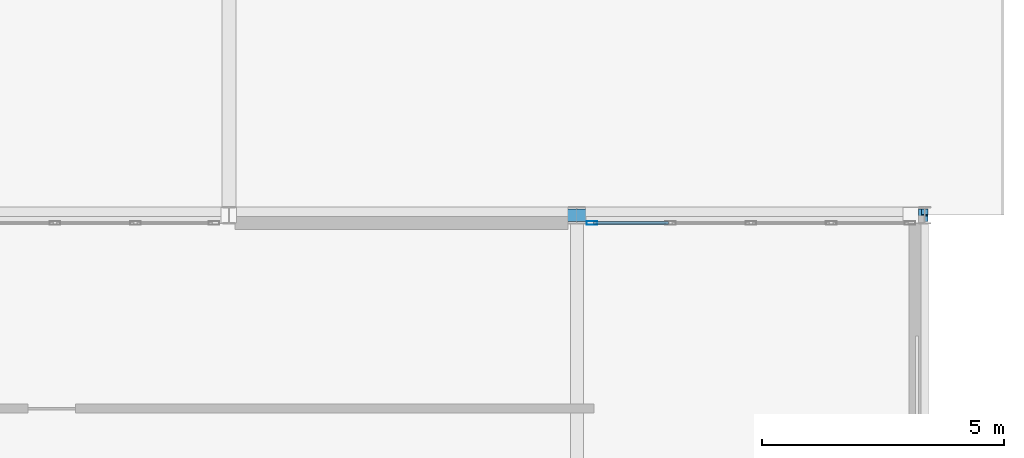
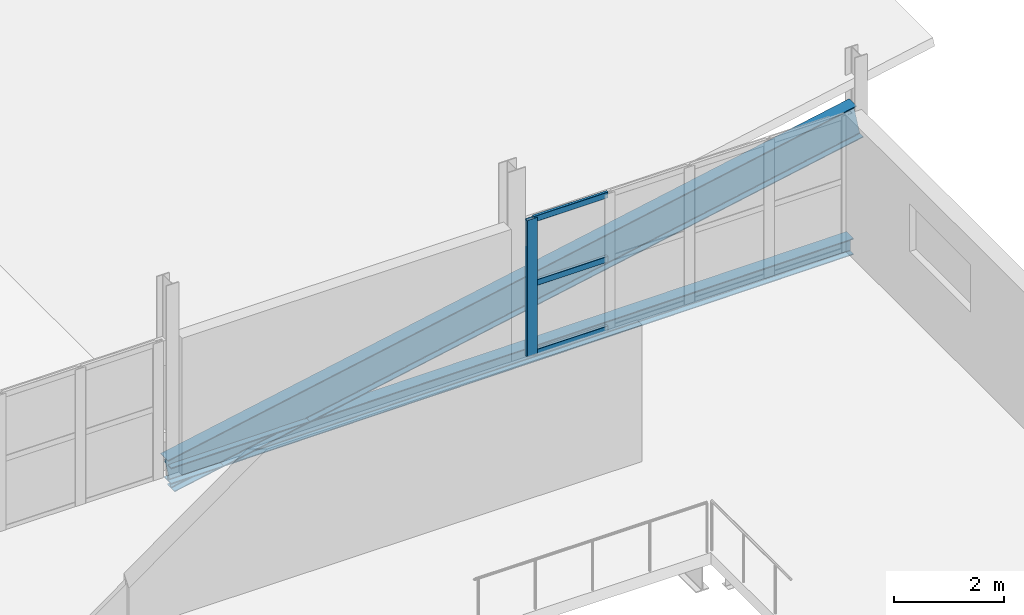
# One storey, part 55 of 94: 5 members, 1 beam, 1 element without a shape of its own.
"""IFC4 building model written with IfcOpenShell, lengths in metres."""

from ifc_helpers import new_model, si_unit, direction, frame, origin, origin_2d, place, context, subcontext, project, spatial, hollow_rectangle, i_section, extrude, material, material_profile, profile_set, type_object, element, aggregate, save


model = new_model("IFC4")

# Units and contexts
model_context = context("Model", 3, precision=1e-05, world=origin(), true_north=direction((0.0, 1.0)))
body_context = subcontext(model_context, "Body", "Model", "MODEL_VIEW")
ifc_project = project(units=[si_unit("LENGTHUNIT", "METRE"), si_unit("AREAUNIT", "SQUARE_METRE"), si_unit("VOLUMEUNIT", "CUBIC_METRE"), si_unit("PLANEANGLEUNIT", "RADIAN"), si_unit("MASSUNIT", "GRAM", prefix="KILO")], contexts=[model_context])

# Site, building, storey
site_placement = place(None, origin())
site = spatial("IfcSite", under=ifc_project, at=site_placement, CompositionType="ELEMENT")
building_placement = place(site_placement, origin())
building = spatial("IfcBuilding", under=site, at=building_placement, Name="Kalmorath City Hall", CompositionType="ELEMENT")
storey_placement = place(building_placement, frame((0.0, 0.0, 14.699951171875)))
storey = spatial("IfcBuildingStorey", under=building, at=storey_placement, Name="L03", CompositionType="ELEMENT", Elevation=14.699951171875)

# Curtain wall, members
ifc_material_1 = material(Name="Anodised aluminium and laminated glass", Category="aluminium")
curtain_wall_type = type_object("IfcCurtainWallType", Name="Unitised hurricane curtain wall 6655x3018 M1850", PredefinedType="NOTDEFINED", material=ifc_material_1)
curtain_wall_placement = place(storey_placement, origin())
curtain_wall = element("IfcCurtainWall", 1, at=curtain_wall_placement, inside=storey, type_object=curtain_wall_type, Name="L03 curtain wall CW-67X30M18 #162", PredefinedType="NOTDEFINED")
ifc_material_2 = material(Name="Anodised aluminium framing", Category="aluminium")
ifc_material_profile_1 = material_profile(ifc_material_2, hollow_rectangle(XDim=0.06005859375, YDim=0.1298828125, WallThickness=0.00341796875, InnerFilletRadius=0.00341796875, OuterFilletRadius=0.007080078125, at=origin_2d()), Name="ALU-TRN-130X60X3.5")
ifc_profile_set_1 = profile_set([ifc_material_profile_1], Name="Anodised aluminium framing")
member_type_1 = type_object("IfcMemberType", Name="Curtain-wall courtyard transom 130x60", PredefinedType="USERDEFINED", material=ifc_profile_set_1)
member_1_placement = place(storey_placement, frame((158.74951171875, 43.0400390625, 0.030029296875), z_axis=(1.0, 0.0, 0.0), x_axis=(0.0, 1.0, 0.0)))
member_1 = element("IfcMember", 2, at=member_1_placement, type_object=member_type_1, Name="CW-67X30M18 transom 1.1", ObjectType="TRANSOM", PredefinedType="USERDEFINED", context=body_context, shape_type="SweptSolid", body=[
    extrude(hollow_rectangle(XDim=0.06005859375, YDim=0.1298828125, WallThickness=0.00341796875, InnerFilletRadius=0.00341796875, OuterFilletRadius=0.007080078125, at=origin_2d()), origin(), (0.0, 0.0, 1.0), 1.55126953125),
])
member_2_placement = place(storey_placement, frame((158.74951171875, 43.0400390625, 1.569091796875), z_axis=(1.0, 0.0, 0.0), x_axis=(0.0, 1.0, 0.0)))
member_2 = element("IfcMember", 3, at=member_2_placement, type_object=member_type_1, Name="CW-67X30M18 transom 1.2", ObjectType="TRANSOM", PredefinedType="USERDEFINED", context=body_context, shape_type="SweptSolid", body=[
    extrude(hollow_rectangle(XDim=0.06005859375, YDim=0.1298828125, WallThickness=0.00341796875, InnerFilletRadius=0.00341796875, OuterFilletRadius=0.007080078125, at=origin_2d()), origin(), (0.0, 0.0, 1.0), 1.55126953125),
])
member_3_placement = place(storey_placement, frame((158.74951171875, 43.0400390625, 2.988037109375), z_axis=(1.0, 0.0, 0.0), x_axis=(0.0, 1.0, 0.0)))
member_3 = element("IfcMember", 4, at=member_3_placement, type_object=member_type_1, Name="CW-67X30M18 transom 1.3", ObjectType="TRANSOM", PredefinedType="USERDEFINED", context=body_context, shape_type="SweptSolid", body=[
    extrude(hollow_rectangle(XDim=0.06005859375, YDim=0.1298828125, WallThickness=0.00341796875, InnerFilletRadius=0.00341796875, OuterFilletRadius=0.007080078125, at=origin_2d()), origin(), (0.0, 0.0, 1.0), 1.55126953125),
])
ifc_material_3 = material(Name="Anodised aluminium framing", Category="aluminium")
ifc_material_profile_2 = material_profile(ifc_material_3, hollow_rectangle(XDim=0.074951171875, YDim=0.219970703125, WallThickness=0.00390625, InnerFilletRadius=0.00390625, OuterFilletRadius=0.008056640625, at=origin_2d()), Name="ALU-MUL-220X75X4")
ifc_profile_set_2 = profile_set([ifc_material_profile_2], Name="Anodised aluminium framing")
member_type_2 = type_object("IfcMemberType", Name="Curtain-wall primary mullion 220x75", PredefinedType="MULLION", material=ifc_profile_set_2)
member_4_placement = place(storey_placement, frame((158.7119140625, 43.0400390625, 0.0), z_axis=(0.0, 0.0, 1.0), x_axis=(0.0, 1.0, 0.0)))
member_4 = element("IfcMember", 5, at=member_4_placement, type_object=member_type_2, Name="CW-67X30M18 mullion 1", PredefinedType="MULLION", context=body_context, shape_type="SweptSolid", body=[
    extrude(hollow_rectangle(XDim=0.074951171875, YDim=0.219970703125, WallThickness=0.00390625, InnerFilletRadius=0.00390625, OuterFilletRadius=0.008056640625, at=origin_2d()), origin(), (0.0, 0.0, 1.0), 3.01806640625),
])
aggregate(curtain_wall, [member_4, member_1, member_2, member_3])

# Member
ifc_material_4 = material(Name="Steel ASTM A992 Grade 50", Category="steel")
ifc_material_profile_3 = material_profile(ifc_material_4, i_section(OverallWidth=0.256103515625, OverallDepth=0.360107421875, WebThickness=0.011474609375, FlangeThickness=0.02001953125, FilletRadius=0.014892578125, at=origin_2d()), Name="W14X74")
ifc_profile_set_3 = profile_set([ifc_material_profile_3], Name="Steel ASTM A992 Grade 50")
member_type_3 = type_object("IfcMemberType", Name="Steel butterfly V-strut W14X74", PredefinedType="BRACE", material=ifc_profile_set_3)
member_5_placement = place(storey_placement, frame((165.471923828125, 43.199951171875, 0.0), z_axis=(-0.999984355294, 0.0, -0.00559367211), x_axis=(0.0, -1.0, 0.0)))
element("IfcMember", 6, at=member_5_placement, inside=storey, type_object=member_type_3, Name="Library butterfly V-strut BR6-1", PredefinedType="BRACE", context=body_context, shape_type="SweptSolid", body=[
    extrude(i_section(OverallWidth=0.256103515625, OverallDepth=0.360107421875, WebThickness=0.011474609375, FlangeThickness=0.02001953125, FilletRadius=0.014892578125, at=origin_2d()), origin(), (0.0, 0.0, 1.0), 14.272216796875),
])

# Beam
ifc_material_5 = material(Name="Steel ASTM A992 Grade 50", Category="steel")
ifc_material_profile_4 = material_profile(ifc_material_5, i_section(OverallWidth=0.26611328125, OverallDepth=0.758056640625, WebThickness=0.013916015625, FlangeThickness=0.019287109375, FilletRadius=0.02001953125, at=origin_2d()), Name="W30X108")
ifc_profile_set_4 = profile_set([ifc_material_profile_4], Name="Steel ASTM A992 Grade 50")
beam_type = type_object("IfcBeamType", Name="Steel butterfly roof girder W30X108", PredefinedType="BEAM", material=ifc_profile_set_4)
beam_placement = place(storey_placement, frame((151.199951171875, 43.199951171875, -0.079833984375), z_axis=(0.981618247843, 0.0, 0.190854959332), x_axis=(0.0, 1.0, 0.0)))
element("IfcBeam", 7, at=beam_placement, inside=storey, type_object=beam_type, Name="Library butterfly east girder SG4-1", PredefinedType="BEAM", context=body_context, shape_type="SweptSolid", body=[
    extrude(i_section(OverallWidth=0.26611328125, OverallDepth=0.758056640625, WebThickness=0.013916015625, FlangeThickness=0.019287109375, FilletRadius=0.02001953125, at=origin_2d()), origin(), (0.0, 0.0, 1.0), 14.669921875),
])

save(model, "model.ifc")
